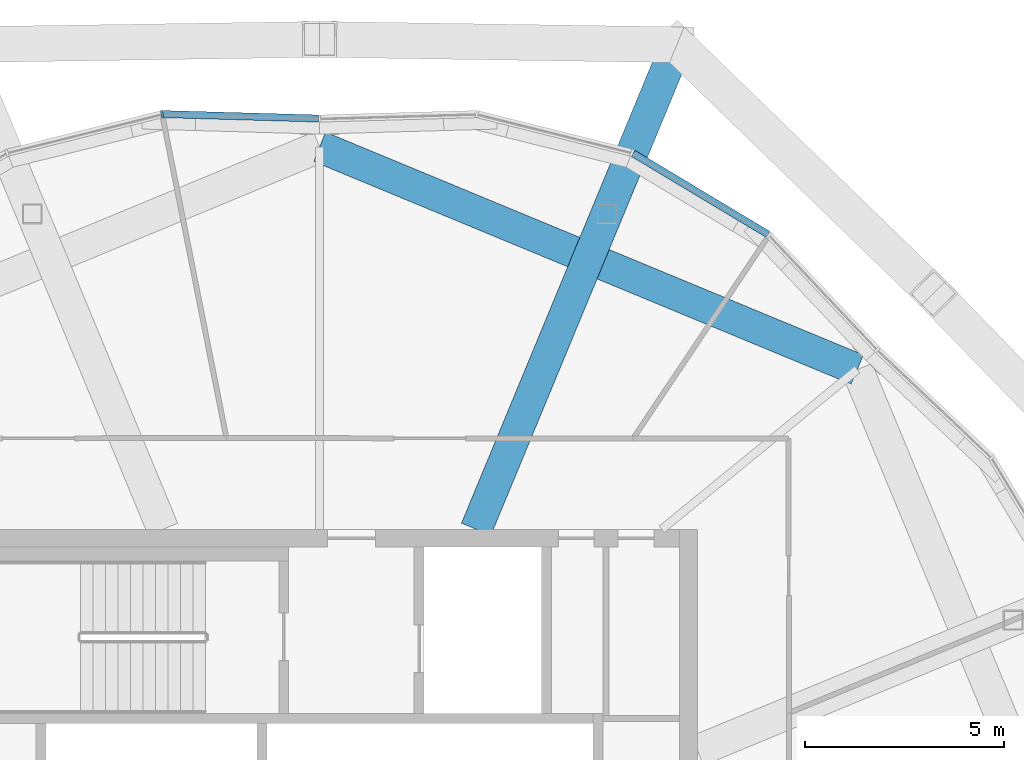
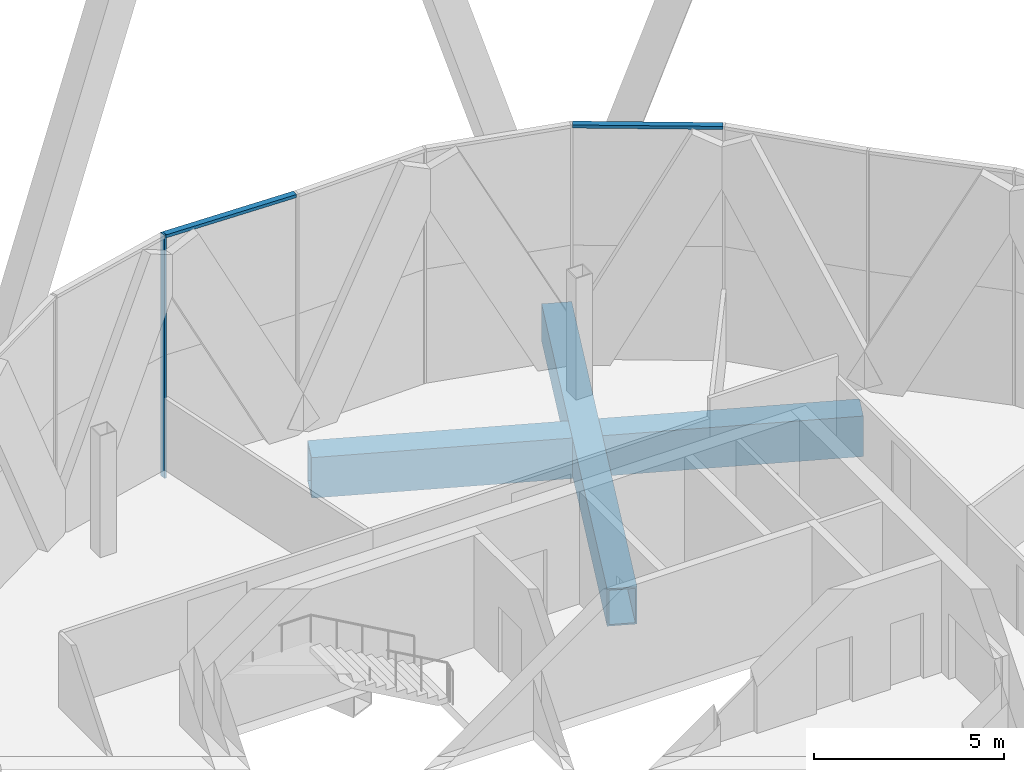
# One storey, part 19 of 53: 3 members, 2 beams, 2 elements without a shape of their own.
"""IFC4 building model written with IfcOpenShell, lengths in metres."""

import ifcopenshell
import ifcopenshell.guid

model = None  # the IFC model being written
_history = None  # IfcOwnerHistory: only IFC2X3 demands one
_inside = {}  # id of a spatial element -> (the spatial element, [elements in it])
_under = {}  # id of a project, library or spatial element -> (it, [spatial elements below it])
_declared = {}  # id of a project -> (the project, [libraries it declares])
_typed = {}  # id of a type object -> (the type object, [elements of that type])
_made_of = {}  # id of a material, layer set ... -> (it, [elements and type objects made of it])


def new_model(schema):
    """Start an empty IFC model of exactly this schema.

    Asked for "IFC4X3", IfcOpenShell would pick the latest addendum, in which some entities
    have other attributes; the version numbers below select the first issue.
    IFC2X3 requires an IfcOwnerHistory on every rooted entity: one is made here for all.
    """
    global model, _history
    if schema == "IFC4X3":
        model = ifcopenshell.file(schema_version=(4, 3, 0, 0))
    else:
        model = ifcopenshell.file(schema=schema)
    _inside.clear()
    _under.clear()
    _declared.clear()
    _typed.clear()
    _made_of.clear()
    _history = None
    if model.schema == "IFC2X3":
        org = make("IfcOrganization", Name="unknown")
        user = make(
            "IfcPersonAndOrganization",
            ThePerson=make("IfcPerson", FamilyName="unknown"),
            TheOrganization=org,
        )
        app = make(
            "IfcApplication",
            ApplicationDeveloper=org,
            Version="unknown",
            ApplicationFullName="unknown",
            ApplicationIdentifier="unknown",
        )
        _history = make(
            "IfcOwnerHistory",
            OwningUser=user,
            OwningApplication=app,
            ChangeAction="ADDED",
            CreationDate=0,
        )
    return model


def make(cls, **values):
    """One entity of the class cls with the attributes given. An attribute that is None is left unset."""
    return model.create_entity(
        cls, **{name: value for name, value in values.items() if value is not None}
    )


def rooted(cls, **values):
    """An entity with a GlobalId (a new one), such as an element, a storey or a relation."""
    return make(cls, GlobalId=ifcopenshell.guid.new(), OwnerHistory=_history, **values)


def si_unit(unit_type, name, prefix=None):
    """IfcSIUnit, for example si_unit("LENGTHUNIT", "METRE", prefix="MILLI")."""
    return make("IfcSIUnit", UnitType=unit_type, Prefix=prefix, Name=name)


def assignment(units):
    """IfcUnitAssignment: the units of a project."""
    return None if units is None else make("IfcUnitAssignment", Units=units)


def point(xyz):
    """IfcCartesianPoint."""
    return None if xyz is None else make("IfcCartesianPoint", Coordinates=xyz)


def direction(xyz):
    """IfcDirection."""
    return None if xyz is None else make("IfcDirection", DirectionRatios=xyz)


def frame(location, z_axis=None, x_axis=None):
    """IfcAxis2Placement3D, a coordinate frame: its origin and axes. An axis left out is left unset."""
    return make(
        "IfcAxis2Placement3D",
        Location=point(location),
        Axis=direction(z_axis),
        RefDirection=direction(x_axis),
    )


def frame_2d(location, x_axis=None):
    """IfcAxis2Placement2D, a coordinate frame in the plane: its origin and x axis."""
    return make(
        "IfcAxis2Placement2D", Location=point(location), RefDirection=direction(x_axis)
    )


def origin():
    """The frame at (0, 0, 0) with its axes left unset."""
    return frame((0.0, 0.0, 0.0))


def origin_2d():
    """The frame at (0, 0) in the plane with its x axis left unset."""
    return frame_2d((0.0, 0.0))


def place(relative_to, where):
    """IfcLocalPlacement: puts the frame where relative to a parent placement (None: the world)."""
    return make(
        "IfcLocalPlacement", PlacementRelTo=relative_to, RelativePlacement=where
    )


def context(
    kind, dimensions, precision=None, world=None, true_north=None, identifier=None
):
    """IfcGeometricRepresentationContext, for example the 3D "Model" context."""
    return make(
        "IfcGeometricRepresentationContext",
        ContextIdentifier=identifier,
        ContextType=kind,
        CoordinateSpaceDimension=dimensions,
        Precision=precision,
        WorldCoordinateSystem=world,
        TrueNorth=true_north,
    )


def subcontext(parent, identifier, kind, view, scale=None):
    """IfcGeometricRepresentationSubContext, for example "Body" below "Model"."""
    return make(
        "IfcGeometricRepresentationSubContext",
        ContextIdentifier=identifier,
        ContextType=kind,
        ParentContext=parent,
        TargetScale=scale,
        TargetView=view,
    )


def project(units=None, contexts=None):
    """IfcProject with its units and contexts."""
    return rooted(
        "IfcProject",
        Name="project",
        RepresentationContexts=contexts,
        UnitsInContext=assignment(units),
    )


def spatial(cls, under=None, at=None, **own):
    """A site, building, storey or space (cls), placed at a placement, below another one or the project."""
    s = rooted(cls, ObjectPlacement=at, **own)
    if under is not None:
        _under.setdefault(under.id(), (under, []))[1].append(s)
    return s


def profile(cls, at=None, kind="AREA", **sizes):
    """A parametric profile (cls). Its sizes go by their IFC names, for example OverallWidth=200.0."""
    return make(cls, ProfileType=kind, Position=at, **sizes)


def rectangle(**sizes):
    """IfcRectangleProfileDef."""
    return profile("IfcRectangleProfileDef", **sizes)


def hollow_rectangle(**sizes):
    """IfcRectangleHollowProfileDef."""
    return profile("IfcRectangleHollowProfileDef", **sizes)


def extrude(swept, where, along, depth):
    """IfcExtrudedAreaSolid: the profile swept, set in the frame where, extruded along a direction by depth."""
    return make(
        "IfcExtrudedAreaSolid",
        SweptArea=swept,
        Position=where,
        ExtrudedDirection=direction(along),
        Depth=depth,
    )


def shape(context_of_items, identifier, shape_type, items):
    """IfcShapeRepresentation: the items that make up one representation, for example the "Body"."""
    return make(
        "IfcShapeRepresentation",
        ContextOfItems=context_of_items,
        RepresentationIdentifier=identifier,
        RepresentationType=shape_type,
        Items=items,
    )


def material(Name=None, Category=None):
    """IfcMaterial."""
    return make("IfcMaterial", Name=Name, Category=Category)


def material_profile(
    of_material, cross_section, Name=None, Category=None, Priority=None
):
    """IfcMaterialProfile: a cross section and its material."""
    return make(
        "IfcMaterialProfile",
        Name=Name,
        Material=of_material,
        Profile=cross_section,
        Priority=Priority,
        Category=Category,
    )


def profile_set(profiles, Name=None, composite=None):
    """IfcMaterialProfileSet."""
    return make(
        "IfcMaterialProfileSet",
        Name=Name,
        MaterialProfiles=profiles,
        CompositeProfile=composite,
    )


def made_of(thing, what):
    """Note that an element or type object is made of a material, layer set ...; save() writes the relation."""
    if what is not None:
        _made_of.setdefault(what.id(), (what, []))[1].append(thing)
    return thing


def type_object(cls, material=None, **own):
    """A type object (cls), such as IfcWallType, which elements share."""
    return made_of(rooted(cls, **own), material)


def element(
    cls,
    number,
    at=None,
    inside=None,
    cuts=None,
    type_object=None,
    material=None,
    context=None,
    identifier="Body",
    shape_type=None,
    held_by="IfcProductDefinitionShape",
    body=None,
    shapes=None,
    **own,
):
    """One element of the class cls, such as IfcWall. Its Tag is "e" and its number.

    at: its placement. inside: the storey or other place that contains it. cuts: it is an
    opening in that element (IfcRelVoidsElement). A single representation is given by context,
    identifier, shape_type and body (its items); several are given by shapes. held_by: the class
    of the entity that holds the representations. save() writes the other relations.
    """
    e = rooted(cls, Tag="e%d" % number, ObjectPlacement=at, **own)
    if body is not None:
        shapes = [shape(context, identifier, shape_type, body)]
    if shapes is not None:
        e.Representation = make(held_by, Representations=shapes)
    if inside is not None:
        _inside.setdefault(inside.id(), (inside, []))[1].append(e)
    if cuts is not None:
        rooted(
            "IfcRelVoidsElement", RelatingBuildingElement=cuts, RelatedOpeningElement=e
        )
    if type_object is not None:
        _typed.setdefault(type_object.id(), (type_object, []))[1].append(e)
    return made_of(e, material)


def aggregate(whole, parts):
    """IfcRelAggregates: a whole, such as a stair, and the parts it consists of."""
    return rooted("IfcRelAggregates", RelatingObject=whole, RelatedObjects=parts)


def save(model, path):
    """Write the relations noted so far, then the file.

    IfcRelAggregates (storeys below a building ...), IfcRelContainedInSpatialStructure (elements
    in a storey), IfcRelDefinesByType, IfcRelAssociatesMaterial and IfcRelDeclares: one each for
    every whole, place, type object, material and project.
    """
    for whole, parts in _under.values():
        aggregate(whole, parts)
    for where, things in _inside.values():
        rooted(
            "IfcRelContainedInSpatialStructure",
            RelatedElements=things,
            RelatingStructure=where,
        )
    for kind, things in _typed.values():
        rooted("IfcRelDefinesByType", RelatedObjects=things, RelatingType=kind)
    for what, things in _made_of.values():
        rooted("IfcRelAssociatesMaterial", RelatedObjects=things, RelatingMaterial=what)
    for by, libraries in _declared.values():
        rooted("IfcRelDeclares", RelatingContext=by, RelatedDefinitions=libraries)
    model.write(path)


model = new_model("IFC4")

# Units and contexts
model_context = context("Model", 3, precision=1e-05, world=origin(), true_north=direction((0.0, 1.0)))
body_context = subcontext(model_context, "Body", "Model", "MODEL_VIEW")
ifc_project = project(units=[si_unit("LENGTHUNIT", "METRE"), si_unit("AREAUNIT", "SQUARE_METRE"), si_unit("VOLUMEUNIT", "CUBIC_METRE"), si_unit("PLANEANGLEUNIT", "RADIAN"), si_unit("MASSUNIT", "GRAM", prefix="KILO")], contexts=[model_context])

# Site, building, storey
site_placement = place(None, origin())
site = spatial("IfcSite", under=ifc_project, at=site_placement, CompositionType="ELEMENT")
building_placement = place(site_placement, origin())
building = spatial("IfcBuilding", under=site, at=building_placement, Name="Ogive Gate Towers", CompositionType="ELEMENT")
storey_placement = place(building_placement, frame((0.0, 0.0, 240.60009765625)))
storey = spatial("IfcBuildingStorey", under=building, at=storey_placement, Name="L57", CompositionType="ELEMENT", Elevation=240.60009765625)

# Beam
ifc_material_1 = material(Name="Steel SM460", Category="steel")
ifc_material_profile_1 = material_profile(ifc_material_1, hollow_rectangle(XDim=0.800048828125, YDim=1.300048828125, WallThickness=0.050048828125, at=origin_2d()), Name="BX 1300x800x50")
ifc_profile_set_1 = profile_set([ifc_material_profile_1], Name="Steel SM460")
beam_type_1 = type_object("IfcBeamType", Name="Edge girder BX 1300x800x50", PredefinedType="BEAM", material=ifc_profile_set_1)
beam_1_placement = place(storey_placement, frame((-22.4873046875, 13.5126953125, -0.9501953125), z_axis=(-0.923872994947, 0.38269921506, 0.0), x_axis=(-0.38269921506, -0.923872994947, 0.0)))
element("IfcBeam", 1, at=beam_1_placement, inside=storey, type_object=beam_type_1, Name="T1/L57/SBM021", PredefinedType="BEAM", context=body_context, shape_type="SweptSolid", body=[
    extrude(hollow_rectangle(XDim=0.800048828125, YDim=1.300048828125, WallThickness=0.050048828125, at=origin_2d()), origin(), (0.0, 0.0, 1.0), 14.626220703125),
])

# Curtain wall, member
ifc_material_2 = material(Name="Pale metal aluminium", Category="aluminium")
curtain_wall_type = type_object("IfcCurtainWallType", Name="Tower unitised wall, high zone", PredefinedType="NOTDEFINED", material=ifc_material_2)
curtain_wall_1_placement = place(storey_placement, origin())
curtain_wall_1 = element("IfcCurtainWall", 2, at=curtain_wall_1_placement, inside=storey, type_object=curtain_wall_type, Name="CW2 T1 ECW05", PredefinedType="NOTDEFINED")
ifc_material_profile_2 = material_profile(ifc_material_2, rectangle(XDim=0.179931640625, YDim=0.06005859375, at=origin_2d()), Name="60 x 180 aluminium box")
ifc_profile_set_2 = profile_set([ifc_material_profile_2], Name="Pale metal aluminium")
member_type_1 = type_object("IfcMemberType", Name="Tower unitised wall, high zone mullion 60 x 180", PredefinedType="MULLION", material=ifc_profile_set_2)
member_1_placement = place(storey_placement, frame((-39.954833984375, 19.931884765625, -0.300048828125), z_axis=(0.0, 0.0, 1.0), x_axis=(0.107912599257, -0.994160384909, 0.0)))
member_1 = element("IfcMember", 3, at=member_1_placement, type_object=member_type_1, Name="CW2 mullion", PredefinedType="MULLION", context=body_context, shape_type="SweptSolid", body=[
    extrude(rectangle(XDim=0.179931640625, YDim=0.06005859375, at=origin_2d()), origin(), (0.0, 0.0, 1.0), 7.800048828125),
])

curtain_wall_2_placement = place(storey_placement, origin())
curtain_wall_2 = element("IfcCurtainWall", 4, at=curtain_wall_2_placement, inside=storey, type_object=curtain_wall_type, Name="CW2 T1 ECW04", PredefinedType="NOTDEFINED")
ifc_material_profile_3 = material_profile(ifc_material_2, rectangle(XDim=0.179931640625, YDim=0.10009765625, at=origin_2d()), Name="100 x 180 aluminium box")
ifc_profile_set_3 = profile_set([ifc_material_profile_3], Name="Pale metal aluminium")
member_type_2 = type_object("IfcMemberType", Name="Tower unitised wall, high zone transom 100 x 180", PredefinedType="USERDEFINED", material=ifc_profile_set_3)
member_2_placement = place(storey_placement, frame((-28.119873046875, 18.94287109375, 7.449951171875), z_axis=(0.857296782072, -0.51482252034, 0.0), x_axis=(0.51482252034, 0.857296782072, 0.0)))
member_2 = element("IfcMember", 5, at=member_2_placement, type_object=member_type_2, Name="CW2 transom", ObjectType="TRANSOM", PredefinedType="USERDEFINED", context=body_context, shape_type="SweptSolid", body=[
    extrude(rectangle(XDim=0.179931640625, YDim=0.10009765625, at=origin_2d()), origin(), (0.0, 0.0, 1.0), 3.955078125),
])
aggregate(curtain_wall_2, [member_2])

# Member
member_3_placement = place(storey_placement, frame((-39.92333984375, 19.93115234375, 7.449951171875), z_axis=(0.999598604155, -0.028330735458, 0.0), x_axis=(0.028330735458, 0.999598604155, 0.0)))
member_3 = element("IfcMember", 6, at=member_3_placement, type_object=member_type_2, Name="CW2 transom", ObjectType="TRANSOM", PredefinedType="USERDEFINED", context=body_context, shape_type="SweptSolid", body=[
    extrude(rectangle(XDim=0.179931640625, YDim=0.10009765625, at=origin_2d()), origin(), (0.0, 0.0, 1.0), 3.89501953125),
])

aggregate(curtain_wall_1, [member_1, member_3])

# Beam
ifc_material_profile_4 = material_profile(ifc_material_1, hollow_rectangle(XDim=0.800048828125, YDim=1.199951171875, WallThickness=0.050048828125, at=origin_2d()), Name="BX 1200x800x50")
ifc_profile_set_4 = profile_set([ifc_material_profile_4], Name="Steel SM460")
beam_type_2 = type_object("IfcBeamType", Name="Transfer radial beam BX 1200x800x50", PredefinedType="BEAM", material=ifc_profile_set_4)
beam_2_placement = place(storey_placement, frame((-32.06494140625, 9.5, -0.900146484375), z_axis=(0.382680688612, 0.923880669006, 0.0), x_axis=(-0.923880669006, 0.382680688612, 0.0)))
element("IfcBeam", 7, at=beam_2_placement, inside=storey, type_object=beam_type_2, Name="T1/L57/SBM010", PredefinedType="BEAM", context=body_context, shape_type="SweptSolid", body=[
    extrude(hollow_rectangle(XDim=0.800048828125, YDim=1.199951171875, WallThickness=0.050048828125, at=origin_2d()), origin(), (0.0, 0.0, 1.0), 13.177490234375),
])

save(model, "model.ifc")
